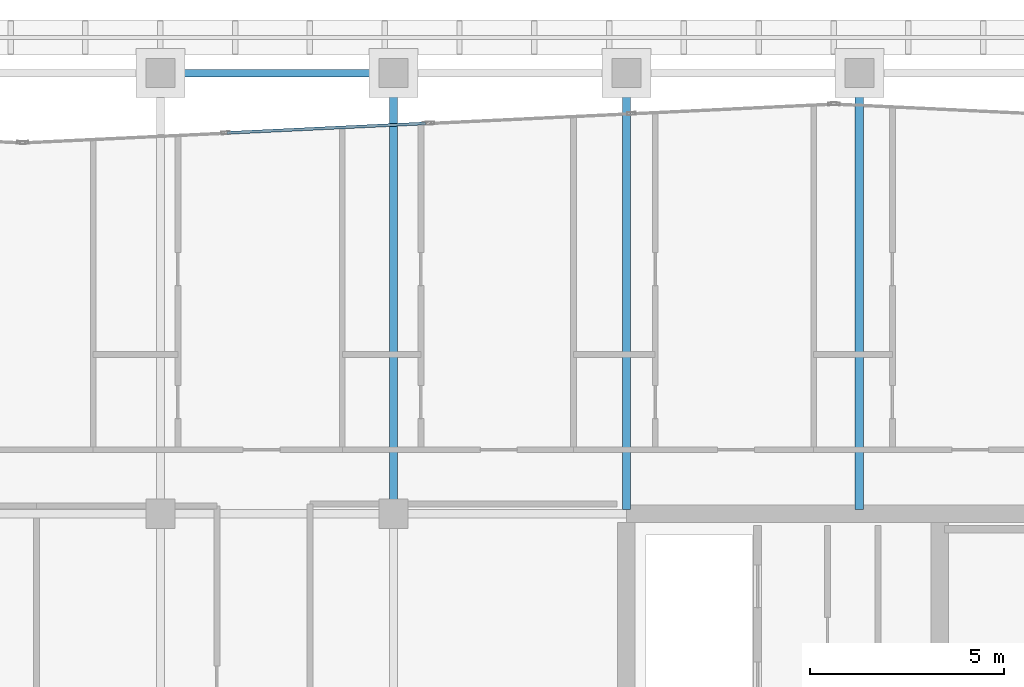
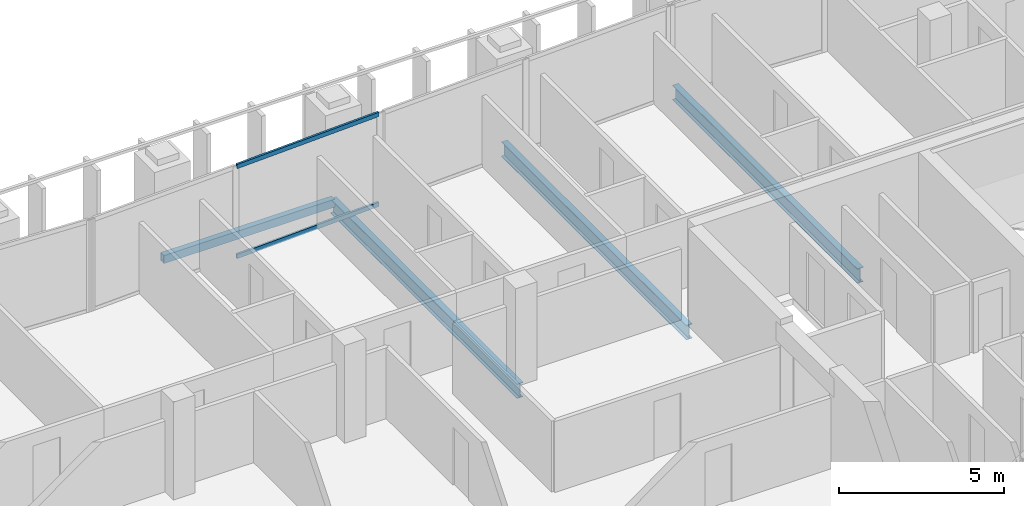
# One storey, part 15 of 32: 4 beams, 2 members, 1 element without a shape of its own.
"""IFC4 building model written with IfcOpenShell, lengths in metres."""

from ifc_helpers import new_model, si_unit, direction, frame, origin, origin_2d, place, context, subcontext, project, spatial, hollow_rectangle, i_section, extrude, material, layer, layer_set, material_profile, profile_set, type_object, element, aggregate, save


model = new_model("IFC4")

# Units and contexts
model_context = context("Model", 3, precision=1e-05, world=origin(), true_north=direction((0.0, 1.0)))
body_context = subcontext(model_context, "Body", "Model", "MODEL_VIEW")
ifc_project = project(units=[si_unit("LENGTHUNIT", "METRE"), si_unit("AREAUNIT", "SQUARE_METRE"), si_unit("VOLUMEUNIT", "CUBIC_METRE"), si_unit("PLANEANGLEUNIT", "RADIAN"), si_unit("MASSUNIT", "GRAM", prefix="KILO")], contexts=[model_context])

# Site, building, storey
site_placement = place(None, origin())
site = spatial("IfcSite", under=ifc_project, at=site_placement, CompositionType="ELEMENT")
building_placement = place(site_placement, origin())
building = spatial("IfcBuilding", under=site, at=building_placement, Name="Tanjung Sevakor Pilgrim Tower", CompositionType="ELEMENT")
storey_placement = place(building_placement, frame((0.0, 0.0, 211.860107421875)))
storey = spatial("IfcBuildingStorey", under=building, at=storey_placement, Name="L59", CompositionType="ELEMENT", Elevation=211.860107421875)

# Beams
ifc_material_1 = material(Name="Steel S355J2", Category="steel")
ifc_material_profile_1 = material_profile(ifc_material_1, i_section(OverallWidth=0.2119140625, OverallDepth=0.54443359375, WebThickness=0.0126953125, FlangeThickness=0.021240234375, FilletRadius=0.0126953125, at=origin_2d()))
ifc_profile_set_1 = profile_set([ifc_material_profile_1], Name="Steel S355J2")
beam_type_1 = type_object("IfcBeamType", Name="BM-B-G5-UB_533x210x122", PredefinedType="BEAM", material=ifc_profile_set_1)
beam_1_placement = place(storey_placement, frame((72.0, 42.60009765625, -0.492431640625), z_axis=(0.0, 1.0, 0.0), x_axis=(-1.0, 0.0, 0.0)))
element("IfcBeam", 1, at=beam_1_placement, inside=storey, type_object=beam_type_1, Name="L59 MAIN Girder 020", PredefinedType="BEAM", context=body_context, shape_type="SweptSolid", body=[
    extrude(i_section(OverallWidth=0.2119140625, OverallDepth=0.54443359375, WebThickness=0.0126953125, FlangeThickness=0.021240234375, FilletRadius=0.0126953125, at=origin_2d()), origin(), (0.0, 0.0, 1.0), 11.349853515625),
])
for number, where, z_axis, x_axis, name in (
    (2, (78.0, 42.714599609375, -0.492431640625), (0.0, 1.0, 0.0), (-1.0, 0.0, 0.0), "L59 MAIN Girder 022"),
    (3, (84.0, 42.714599609375, -0.492431640625), (0.0, 1.0, 0.0), (-1.0, 0.0, 0.0), "L59 MAIN Girder 024"),
):
    element("IfcBeam", number, at=place(storey_placement, frame(where, z_axis=z_axis, x_axis=x_axis)), inside=storey, type_object=beam_type_1, Name=name, PredefinedType="BEAM", context=body_context, shape_type="SweptSolid", body=[
        extrude(i_section(OverallWidth=0.2119140625, OverallDepth=0.54443359375, WebThickness=0.0126953125, FlangeThickness=0.021240234375, FilletRadius=0.0126953125, at=origin_2d()), origin(), (0.0, 0.0, 1.0), 11.2353515625),
    ])
ifc_material_2 = material(Name="Steel S355J2", Category="steel")
ifc_material_profile_2 = material_profile(ifc_material_2, hollow_rectangle(XDim=0.199951171875, YDim=0.300048828125, WallThickness=0.012451171875, at=origin_2d()))
ifc_profile_set_2 = profile_set([ifc_material_profile_2], Name="Steel S355J2")
beam_type_2 = type_object("IfcBeamType", Name="BM-B-SP3-RHS_300x200x12.5", PredefinedType="SPANDREL", material=ifc_profile_set_2)
beam_2_placement = place(storey_placement, frame((66.0, 53.949951171875, -0.3701171875), z_axis=(1.0, 0.0, 0.0), x_axis=(0.0, 1.0, 0.0)))
element("IfcBeam", 4, at=beam_2_placement, inside=storey, type_object=beam_type_2, Name="L59 Spandrel MAIN N-10", PredefinedType="SPANDREL", context=body_context, shape_type="SweptSolid", body=[
    extrude(hollow_rectangle(XDim=0.199951171875, YDim=0.300048828125, WallThickness=0.012451171875, at=origin_2d()), origin(), (0.0, 0.0, 1.0), 6.0),
])

# Curtain wall, members
ifc_material_3 = material(Name="Aluminium 6063-T6 and Low-E Glass", Category="aluminium")
ifc_layer = layer(ifc_material_3, 0.199951171875)
ifc_layer_set = layer_set([ifc_layer], Name="CW-SYS-PRAY")
curtain_wall_type = type_object("IfcCurtainWallType", Name="CW-SYS-PRAY", PredefinedType="NOTDEFINED", material=ifc_layer_set)
curtain_wall_placement = place(storey_placement, origin())
curtain_wall = element("IfcCurtainWall", 5, at=curtain_wall_placement, inside=storey, type_object=curtain_wall_type, Name="L59 Curtain Wall CW-PRY-L59-22", PredefinedType="NOTDEFINED")
ifc_material_4 = material(Name="Aluminium 6063-T6", Category="aluminium")
ifc_material_profile_3 = material_profile(ifc_material_4, hollow_rectangle(XDim=0.074951171875, YDim=0.159912109375, WallThickness=0.00439453125, at=origin_2d()))
ifc_profile_set_3 = profile_set([ifc_material_profile_3], Name="Aluminium 6063-T6")
member_type = type_object("IfcMemberType", Name="TYPE-CWT-2", PredefinedType="USERDEFINED", material=ifc_profile_set_3)
member_1_placement = place(storey_placement, frame((72.830322265625, 52.656494140625, 0.037353515625), z_axis=(-0.998858409618, -0.047769001835, 0.0), x_axis=(0.047769001835, -0.998858409618, 0.0)))
member_1 = element("IfcMember", 6, at=member_1_placement, type_object=member_type, Name="CW-PRY transom 1.1", ObjectType="TRANSOM", PredefinedType="USERDEFINED", context=body_context, shape_type="SweptSolid", body=[
    extrude(hollow_rectangle(XDim=0.074951171875, YDim=0.159912109375, WallThickness=0.00439453125, at=origin_2d()), origin(), (0.0, 0.0, 1.0), 5.12109375),
])
member_2_placement = place(storey_placement, frame((72.830322265625, 52.656494140625, 3.372314453125), z_axis=(-0.998858409618, -0.047769001835, 0.0), x_axis=(0.047769001835, -0.998858409618, 0.0)))
member_2 = element("IfcMember", 7, at=member_2_placement, type_object=member_type, Name="CW-PRY transom 1.2", ObjectType="TRANSOM", PredefinedType="USERDEFINED", context=body_context, shape_type="SweptSolid", body=[
    extrude(hollow_rectangle(XDim=0.074951171875, YDim=0.159912109375, WallThickness=0.00439453125, at=origin_2d()), origin(), (0.0, 0.0, 1.0), 5.12109375),
])
aggregate(curtain_wall, [member_1, member_2])

save(model, "model.ifc")
